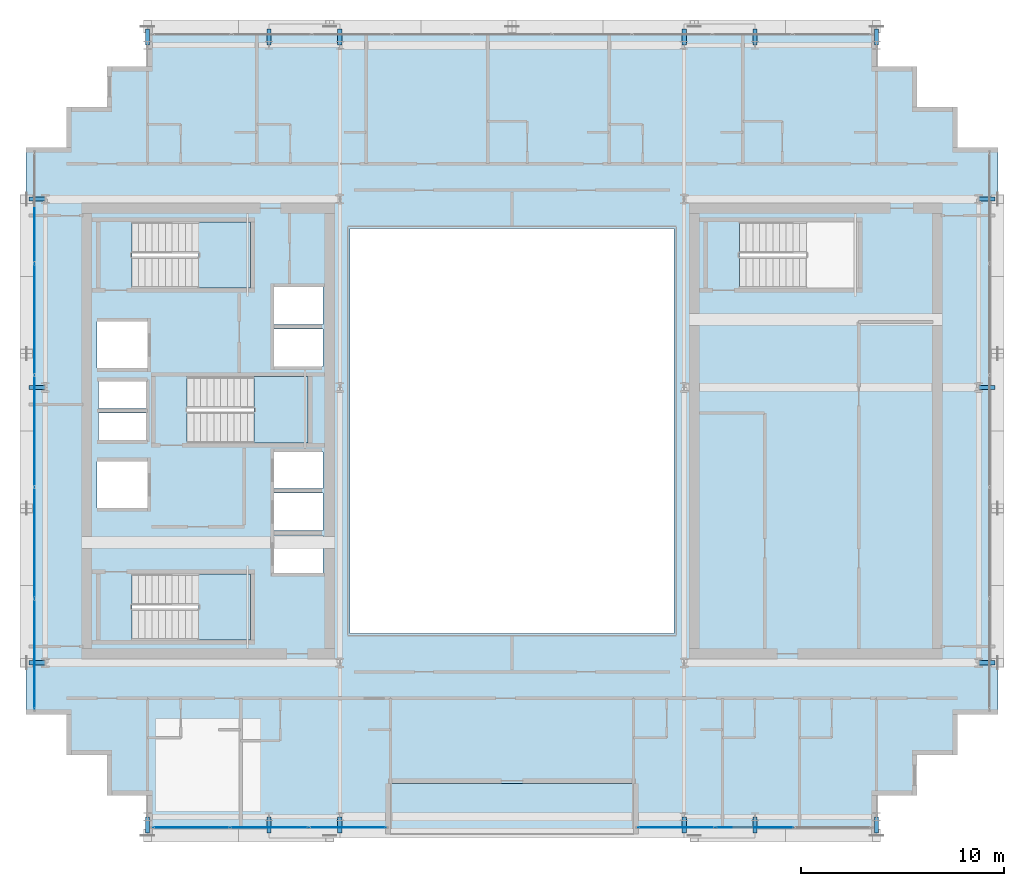
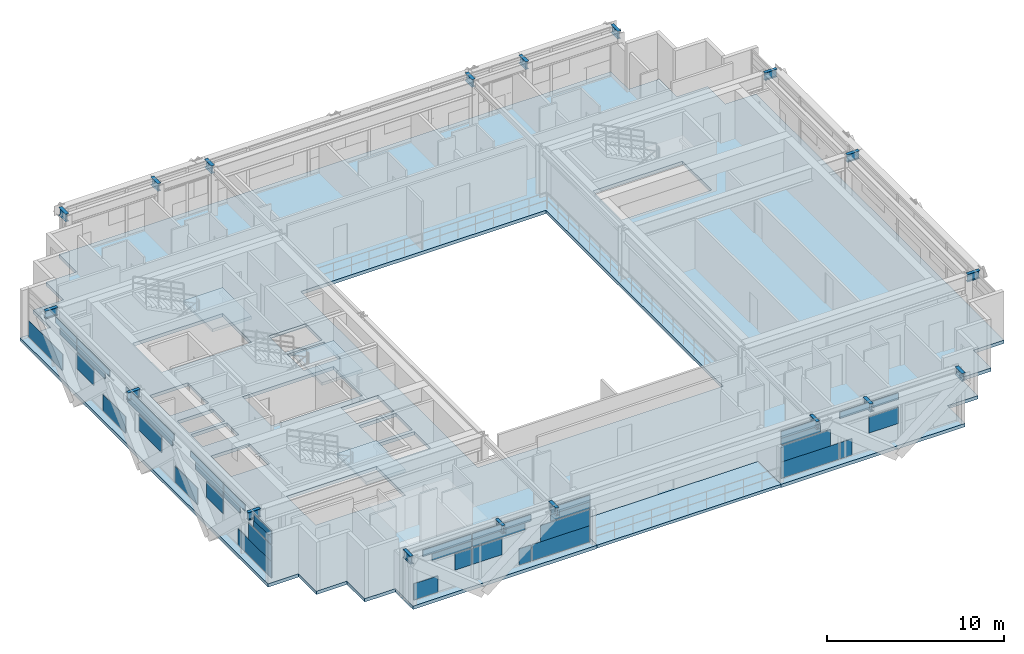
# One storey, part 20 of 32: 39 plates, 18 beams, 5 slabs, 6 elements without a shape of their own.
"""IFC4 building model written with IfcOpenShell, lengths in metres."""

from ifc_helpers import new_model, si_unit, direction, frame, origin, origin_2d, place, context, subcontext, project, spatial, polyline, rectangle, i_section, outline, extrude, source, transform, mapped, material, layer, layer_set, material_profile, profile_set, type_object, element, aggregate, save


model = new_model("IFC4")

# Units and contexts
model_context = context("Model", 3, precision=1e-05, world=origin(), true_north=direction((0.0, 1.0)))
body_context = subcontext(model_context, "Body", "Model", "MODEL_VIEW")
ifc_project = project(units=[si_unit("LENGTHUNIT", "METRE"), si_unit("AREAUNIT", "SQUARE_METRE"), si_unit("VOLUMEUNIT", "CUBIC_METRE"), si_unit("PLANEANGLEUNIT", "RADIAN"), si_unit("MASSUNIT", "GRAM", prefix="KILO")], contexts=[model_context])

# Site, building, storey
site_placement = place(None, origin())
site = spatial("IfcSite", under=ifc_project, at=site_placement, CompositionType="ELEMENT")
building_placement = place(site_placement, origin())
building = spatial("IfcBuilding", under=site, at=building_placement, Name="Ocotamira Hotel", CompositionType="ELEMENT")
storey_placement = place(building_placement, frame((0.0, 0.0, 206.39990234375)))
storey = spatial("IfcBuildingStorey", under=building, at=storey_placement, Name="L52", CompositionType="ELEMENT", Elevation=206.39990234375)

# Beams
ifc_material_1 = material(Name="Steel ASTM A992 Grade 50", Category="steel")
ifc_material_profile = material_profile(ifc_material_1, i_section(OverallWidth=0.2099609375, OverallDepth=0.537109375, WebThickness=0.010986328125, FlangeThickness=0.017333984375, FilletRadius=0.012939453125, at=origin_2d()), Name="W21X68")
ifc_profile_set = profile_set([ifc_material_profile], Name="Steel ASTM A992 Grade 50")
beam_type = type_object("IfcBeamType", Name="BM-SEC-W21X68", PredefinedType="JOIST", material=ifc_profile_set)
shared_shape_1 = source(origin(), body_context, "Body", "SweptSolid", [
    extrude(i_section(OverallWidth=0.2099609375, OverallDepth=0.537109375, WebThickness=0.010986328125, FlangeThickness=0.017333984375, FilletRadius=0.012939453125, at=origin_2d()), origin(), (0.0, 0.0, 1.0), 0.800048828125),
])
for number, where, z_axis, x_axis, name in (
    (1, (14.0, 6.949951171875, 3.1015625), (0.0, -1.0, 0.0), (1.0, 0.0, 0.0), "L52 South Edge Header X14"),
    (2, (14.0, 45.050048828125, 3.1015625), (0.0, 1.0, 0.0), (-1.0, 0.0, 0.0), "L52 North Edge Header X14"),
    (3, (20.0, 6.949951171875, 3.1015625), (0.0, -1.0, 0.0), (1.0, 0.0, 0.0), "L52 South Edge Header X20"),
    (4, (20.0, 45.050048828125, 3.1015625), (0.0, 1.0, 0.0), (-1.0, 0.0, 0.0), "L52 North Edge Header X20"),
    (5, (23.5, 6.949951171875, 3.1015625), (0.0, -1.0, 0.0), (1.0, 0.0, 0.0), "L52 South Edge Header X23.5"),
    (6, (23.5, 45.050048828125, 3.1015625), (0.0, 1.0, 0.0), (-1.0, 0.0, 0.0), "L52 North Edge Header X23.5"),
    (7, (40.5, 6.949951171875, 3.1015625), (0.0, -1.0, 0.0), (1.0, 0.0, 0.0), "L52 South Edge Header X40.5"),
    (8, (40.5, 45.050048828125, 3.1015625), (0.0, 1.0, 0.0), (-1.0, 0.0, 0.0), "L52 North Edge Header X40.5"),
    (9, (44.0, 6.949951171875, 3.1015625), (0.0, -1.0, 0.0), (1.0, 0.0, 0.0), "L52 South Edge Header X44"),
    (10, (44.0, 45.050048828125, 3.1015625), (0.0, 1.0, 0.0), (-1.0, 0.0, 0.0), "L52 North Edge Header X44"),
    (11, (50.0, 6.949951171875, 3.1015625), (0.0, -1.0, 0.0), (1.0, 0.0, 0.0), "L52 South Edge Header X50"),
    (12, (50.0, 45.050048828125, 3.1015625), (0.0, 1.0, 0.0), (-1.0, 0.0, 0.0), "L52 North Edge Header X50"),
    (13, (8.949951171875, 14.550048828125, 3.1015625), (-1.0, 0.0, 0.0), (0.0, -1.0, 0.0), "L52 West Edge Header Y14.55"),
    (14, (55.050048828125, 14.550048828125, 3.1015625), (1.0, 0.0, 0.0), (0.0, 1.0, 0.0), "L52 East Edge Header Y14.55"),
    (15, (8.949951171875, 28.14990234375, 3.1015625), (-1.0, 0.0, 0.0), (0.0, -1.0, 0.0), "L52 West Edge Header Y28.15"),
    (16, (55.050048828125, 28.14990234375, 3.1015625), (1.0, 0.0, 0.0), (0.0, 1.0, 0.0), "L52 East Edge Header Y28.15"),
    (17, (8.949951171875, 37.449951171875, 3.1015625), (-1.0, 0.0, 0.0), (0.0, -1.0, 0.0), "L52 West Edge Header Y37.45"),
    (18, (55.050048828125, 37.449951171875, 3.1015625), (1.0, 0.0, 0.0), (0.0, 1.0, 0.0), "L52 East Edge Header Y37.45"),
):
    element("IfcBeam", number, at=place(storey_placement, frame(where, z_axis=z_axis, x_axis=x_axis)), inside=storey, type_object=beam_type, Name=name, PredefinedType="JOIST", context=body_context, shape_type="MappedRepresentation", body=[
        mapped(shared_shape_1, transform((0.0, 0.0, 0.0), scale=1.0)),
    ])

# Slab
ifc_material_2 = material(Name="Concrete C40/50", Category="concrete")
ifc_layer_1 = layer(ifc_material_2, 0.199951171875)
ifc_layer_set_1 = layer_set([ifc_layer_1], Name="Concrete C40/50")
slab_type_1 = type_object("IfcSlabType", Name="SLB-BAL-200", PredefinedType="FLOOR", material=ifc_layer_set_1)
slab_1_placement = place(storey_placement, frame((0.0, 0.0, -0.199951171875)))
element("IfcSlab", 19, at=slab_1_placement, inside=storey, type_object=slab_type_1, Name="L52 Outdoor Sky Terrace Slab 1", PredefinedType="FLOOR", context=body_context, shape_type="SweptSolid", body=[
    extrude(outline(polyline([(26.0, 6.0), (38.0, 6.0), (38.0, 8.60009765625), (26.0, 8.60009765625), (26.0, 6.0)])), origin(), (0.0, 0.0, 1.0), 0.199951171875),
])

# Stair, slab
stair_type = type_object("IfcStairType", Name="ST-CORE-1560", PredefinedType="HALF_TURN_STAIR", material=ifc_material_2)
stair_1_placement = place(storey_placement, origin())
stair_1 = element("IfcStair", 20, at=stair_1_placement, inside=storey, type_object=stair_type, Name="L52 Exit Stair ST-1", PredefinedType="HALF_TURN_STAIR")
ifc_layer_2 = layer(ifc_material_2, 0.199951171875)
ifc_layer_set_2 = layer_set([ifc_layer_2], Name="Concrete C40/50")
slab_type_2 = type_object("IfcSlabType", Name="SLB-LAND-200", PredefinedType="LANDING", material=ifc_layer_set_2)
slab_2_placement = place(storey_placement, frame((0.0, 0.0, 1.60009765625)))
slab_2 = element("IfcSlab", 21, at=slab_2_placement, type_object=slab_type_2, Name="ST-1 landing 1", PredefinedType="LANDING", context=body_context, shape_type="SweptSolid", body=[
    extrude(outline(polyline([(16.530029296875, 15.669921875), (19.090087890625, 15.669921875), (19.090087890625, 18.949951171875), (16.530029296875, 18.949951171875), (16.530029296875, 15.669921875)])), origin(), (0.0, 0.0, 1.0), 0.199951171875),
])
aggregate(stair_1, [slab_2])

stair_2_placement = place(storey_placement, origin())
stair_2 = element("IfcStair", 22, at=stair_2_placement, inside=storey, type_object=stair_type, Name="L52 Exit Stair ST-2", PredefinedType="HALF_TURN_STAIR")
slab_3_placement = place(storey_placement, frame((0.0, 0.0, 1.60009765625)))
slab_3 = element("IfcSlab", 23, at=slab_3_placement, type_object=slab_type_2, Name="ST-2 landing 1", PredefinedType="LANDING", context=body_context, shape_type="SweptSolid", body=[
    extrude(outline(polyline([(16.530029296875, 33.050048828125), (19.090087890625, 33.050048828125), (19.090087890625, 36.330078125), (16.530029296875, 36.330078125), (16.530029296875, 33.050048828125)])), origin(), (0.0, 0.0, 1.0), 0.199951171875),
])
aggregate(stair_2, [slab_3])

stair_3_placement = place(storey_placement, origin())
stair_3 = element("IfcStair", 24, at=stair_3_placement, inside=storey, type_object=stair_type, Name="L52 Exit Stair ST-3", PredefinedType="HALF_TURN_STAIR")
slab_4_placement = place(storey_placement, frame((0.0, 0.0, 1.60009765625)))
slab_4 = element("IfcSlab", 25, at=slab_4_placement, type_object=slab_type_2, Name="ST-3 landing 1", PredefinedType="LANDING", context=body_context, shape_type="SweptSolid", body=[
    extrude(outline(polyline([(19.260009765625, 25.39990234375), (21.919921875, 25.39990234375), (21.919921875, 28.679931640625), (19.260009765625, 28.679931640625), (19.260009765625, 25.39990234375)])), origin(), (0.0, 0.0, 1.0), 0.199951171875),
])
aggregate(stair_3, [slab_4])

# Slab
ifc_layer_3 = layer(ifc_material_2, 0.22998046875)
ifc_layer_set_3 = layer_set([ifc_layer_3], Name="Concrete C40/50")
slab_type_3 = type_object("IfcSlabType", Name="SLB-Z3-230", PredefinedType="FLOOR", material=ifc_layer_set_3)
slab_5_placement = place(storey_placement, frame((0.0, 0.0, -0.22998046875)))
element("IfcSlab", 26, at=slab_5_placement, inside=storey, type_object=slab_type_3, Name="L52 Structural Floor Slab", PredefinedType="FLOOR", context=body_context, shape_type="SweptSolid", body=[
    extrude(outline(polyline([(14.0, 6.0), (14.0, 8.0), (12.0, 8.0), (12.0, 10.0), (10.0, 10.0), (10.0, 12.0), (8.0, 12.0), (8.0, 40.0), (10.0, 40.0), (10.0, 42.0), (12.0, 42.0), (12.0, 44.0), (14.0, 44.0), (14.0, 46.0), (50.0, 46.0), (50.0, 44.0), (52.0, 44.0), (52.0, 42.0), (54.0, 42.0), (54.0, 40.0), (56.0, 40.0), (56.0, 12.0), (54.0, 12.0), (54.0, 10.0), (52.0, 10.0), (52.0, 8.0), (50.0, 8.0), (50.0, 6.0), (38.0, 6.0), (38.0, 8.60009765625), (26.0, 8.60009765625), (26.0, 6.0), (14.0, 6.0)]), holes=[polyline([(24.0, 16.0), (40.0, 16.0), (40.0, 36.0), (24.0, 36.0), (24.0, 16.0)]), polyline([(13.22998046875, 15.669921875), (19.090087890625, 15.669921875), (19.090087890625, 18.949951171875), (13.22998046875, 18.949951171875), (13.22998046875, 15.669921875)]), polyline([(13.22998046875, 33.050048828125), (19.090087890625, 33.050048828125), (19.090087890625, 36.330078125), (13.22998046875, 36.330078125), (13.22998046875, 33.050048828125)]), polyline([(15.9599609375, 25.39990234375), (21.919921875, 25.39990234375), (21.919921875, 28.679931640625), (15.9599609375, 28.679931640625), (15.9599609375, 25.39990234375)]), polyline([(43.22998046875, 33.050048828125), (49.090087890625, 33.050048828125), (49.090087890625, 36.330078125), (43.22998046875, 36.330078125), (43.22998046875, 33.050048828125)]), polyline([(20.25, 19.0), (22.659912109375, 19.0), (22.659912109375, 20.85009765625), (20.25, 20.85009765625), (20.25, 19.0)]), polyline([(20.25, 21.080078125), (22.659912109375, 21.080078125), (22.659912109375, 22.929931640625), (20.25, 22.929931640625), (20.25, 21.080078125)]), polyline([(20.25, 23.159912109375), (22.659912109375, 23.159912109375), (22.659912109375, 24.9599609375), (20.25, 24.9599609375), (20.25, 23.159912109375)]), polyline([(20.25, 29.179931640625), (22.659912109375, 29.179931640625), (22.659912109375, 31.030029296875), (20.25, 31.030029296875), (20.25, 29.179931640625)]), polyline([(20.25, 31.260009765625), (22.659912109375, 31.260009765625), (22.659912109375, 33.110107421875), (20.25, 33.110107421875), (20.25, 31.260009765625)]), polyline([(11.5, 22.199951171875), (14.0, 22.199951171875), (14.0, 24.5), (11.5, 24.5), (11.5, 22.199951171875)]), polyline([(11.5, 29.10009765625), (14.0, 29.10009765625), (14.0, 31.39990234375), (11.5, 31.39990234375), (11.5, 29.10009765625)]), polyline([(11.580078125, 25.550048828125), (13.919921875, 25.550048828125), (13.919921875, 26.89990234375), (11.580078125, 26.89990234375), (11.580078125, 25.550048828125)]), polyline([(11.580078125, 27.10009765625), (13.919921875, 27.10009765625), (13.919921875, 28.449951171875), (11.580078125, 28.449951171875), (11.580078125, 27.10009765625)])]), origin(), (0.0, 0.0, 1.0), 0.22998046875),
])

# Curtain wall, plate
ifc_material_3 = material(Name="Anodised pale-metal aluminium and solar glass", Category="aluminium")
ifc_layer_4 = layer(ifc_material_3, 0.199951171875)
ifc_layer_set_4 = layer_set([ifc_layer_4], Name="Anodised pale-metal aluminium and solar glass")
curtain_wall_type = type_object("IfcCurtainWallType", Name="CW-SYS4-Z3", PredefinedType="NOTDEFINED", material=ifc_layer_set_4)
curtain_wall_1_placement = place(storey_placement, origin())
curtain_wall_1 = element("IfcCurtainWall", 27, at=curtain_wall_1_placement, inside=storey, type_object=curtain_wall_type, Name="L52 Curtain Wall CW-4 CW-L52-S1", PredefinedType="NOTDEFINED")
ifc_material_4 = material(Name="Double-silver low-E insulated solar glass", Category="glass")
ifc_layer_5 = layer(ifc_material_4, 0.031982421875)
ifc_layer_set_5 = layer_set([ifc_layer_5], Name="Double-silver low-E insulated solar glass")
plate_type = type_object("IfcPlateType", Name="CWP-VISION-32", PredefinedType="CURTAIN_PANEL", material=ifc_layer_set_5)
shared_shape_2 = source(origin(), body_context, "Body", "SweptSolid", [
    extrude(rectangle(XDim=1.5673828125, YDim=0.031982421875, at=origin_2d()), origin(), (0.0, 0.0, 1.0), 1.118896484375),
])
plate_1_placement = place(storey_placement, frame((15.063720703125, 6.419921875, 0.0751953125), z_axis=(0.0, 0.0, 1.0), x_axis=(1.0, 0.0, 0.0)))
plate_1 = element("IfcPlate", 28, at=plate_1_placement, type_object=plate_type, Name="CW-4 panel 1.1.1", PredefinedType="CURTAIN_PANEL", context=body_context, shape_type="MappedRepresentation", body=[
    mapped(shared_shape_2, transform((0.0, 0.0, 0.0), scale=1.0)),
])

# Curtain wall, plates
curtain_wall_2_placement = place(storey_placement, origin())
curtain_wall_2 = element("IfcCurtainWall", 29, at=curtain_wall_2_placement, inside=storey, type_object=curtain_wall_type, Name="L52 Curtain Wall CW-4 CW-L52-W", PredefinedType="NOTDEFINED")
shared_shape_3 = source(origin(), body_context, "Body", "SweptSolid", [
    extrude(rectangle(XDim=3.802001953125, YDim=0.031982421875, at=origin_2d()), origin(), (0.0, 0.0, 1.0), 1.118896484375),
])
plate_2_placement = place(storey_placement, frame((8.419921875, 14.180908203125, 0.0751953125), z_axis=(0.0, 0.0, 1.0), x_axis=(0.0, 1.0, 0.0)))
plate_2 = element("IfcPlate", 30, at=plate_2_placement, type_object=plate_type, Name="CW-4 panel 1.1.1", PredefinedType="CURTAIN_PANEL", context=body_context, shape_type="MappedRepresentation", body=[
    mapped(shared_shape_3, transform((0.0, 0.0, 0.0), scale=1.0)),
])
plate_3_placement = place(storey_placement, frame((8.419921875, 37.819091796875, 0.0751953125), z_axis=(0.0, 0.0, 1.0), x_axis=(0.0, 1.0, 0.0)))
plate_3 = element("IfcPlate", 31, at=plate_3_placement, type_object=plate_type, Name="CW-4 panel 5.1.1", PredefinedType="CURTAIN_PANEL", context=body_context, shape_type="MappedRepresentation", body=[
    mapped(shared_shape_3, transform((0.0, 0.0, 0.0), scale=1.0)),
])
shared_shape_4 = source(origin(), body_context, "Body", "SweptSolid", [
    extrude(rectangle(XDim=2.048095703125, YDim=0.031982421875, at=origin_2d()), origin(), (0.0, 0.0, 1.0), 0.460693359375),
])
plate_4_placement = place(storey_placement, frame((8.419921875, 13.303955078125, 2.3876953125), z_axis=(0.0, 0.0, 1.0), x_axis=(0.0, 1.0, 0.0)))
plate_4 = element("IfcPlate", 32, at=plate_4_placement, type_object=plate_type, Name="CW-4 panel 1.2.1", PredefinedType="CURTAIN_PANEL", context=body_context, shape_type="MappedRepresentation", body=[
    mapped(shared_shape_4, transform((0.0, 0.0, 0.0), scale=1.0)),
])
shared_shape_5 = source(origin(), body_context, "Body", "SweptSolid", [
    extrude(rectangle(XDim=2.01171875, YDim=0.031982421875, at=origin_2d()), origin(), (0.0, 0.0, 1.0), 0.44677734375),
])
plate_5_placement = place(storey_placement, frame((8.419921875, 13.285888671875, 2.848388671875), z_axis=(0.0, 0.0, 1.0), x_axis=(0.0, 1.0, 0.0)))
plate_5 = element("IfcPlate", 33, at=plate_5_placement, type_object=plate_type, Name="CW-4 panel 1.2.2", PredefinedType="CURTAIN_PANEL", context=body_context, shape_type="MappedRepresentation", body=[
    mapped(shared_shape_5, transform((0.0, 0.0, 0.0), scale=1.0)),
])
shared_shape_6 = source(origin(), body_context, "Body", "SweptSolid", [
    extrude(rectangle(XDim=2.3681640625, YDim=0.031982421875, at=origin_2d()), origin(), (0.0, 0.0, 1.0), 0.41259765625),
])
plate_6_placement = place(storey_placement, frame((8.419921875, 16.495849609375, 2.882568359375), z_axis=(0.0, 0.0, 1.0), x_axis=(0.0, 1.0, 0.0)))
plate_6 = element("IfcPlate", 34, at=plate_6_placement, type_object=plate_type, Name="CW-4 panel 1.2.3", PredefinedType="CURTAIN_PANEL", context=body_context, shape_type="MappedRepresentation", body=[
    mapped(shared_shape_6, transform((0.0, 0.0, 0.0), scale=1.0)),
])
plate_7_placement = place(storey_placement, frame((8.419921875, 35.504150390625, 2.882568359375), z_axis=(0.0, 0.0, 1.0), x_axis=(0.0, 1.0, 0.0)))
plate_7 = element("IfcPlate", 35, at=plate_7_placement, type_object=plate_type, Name="CW-4 panel 5.2.2", PredefinedType="CURTAIN_PANEL", context=body_context, shape_type="MappedRepresentation", body=[
    mapped(shared_shape_6, transform((0.0, 0.0, 0.0), scale=1.0)),
])
shared_shape_7 = source(origin(), body_context, "Body", "SweptSolid", [
    extrude(rectangle(XDim=1.84326171875, YDim=0.031982421875, at=origin_2d()), origin(), (0.0, 0.0, 1.0), 0.460693359375),
])
plate_8_placement = place(storey_placement, frame((8.419921875, 16.75830078125, 2.3876953125), z_axis=(0.0, 0.0, 1.0), x_axis=(0.0, 1.0, 0.0)))
plate_8 = element("IfcPlate", 36, at=plate_8_placement, type_object=plate_type, Name="CW-4 panel 1.2.4", PredefinedType="CURTAIN_PANEL", context=body_context, shape_type="MappedRepresentation", body=[
    mapped(shared_shape_7, transform((0.0, 0.0, 0.0), scale=1.0)),
])
plate_9_placement = place(storey_placement, frame((8.419921875, 35.24169921875, 2.3876953125), z_axis=(0.0, 0.0, 1.0), x_axis=(0.0, 1.0, 0.0)))
plate_9 = element("IfcPlate", 37, at=plate_9_placement, type_object=plate_type, Name="CW-4 panel 5.2.1", PredefinedType="CURTAIN_PANEL", context=body_context, shape_type="MappedRepresentation", body=[
    mapped(shared_shape_7, transform((0.0, 0.0, 0.0), scale=1.0)),
])
shared_shape_8 = source(origin(), body_context, "Body", "SweptSolid", [
    extrude(rectangle(XDim=2.548828125, YDim=0.031982421875, at=origin_2d()), origin(), (0.0, 0.0, 1.0), 1.118896484375),
])
plate_10_placement = place(storey_placement, frame((8.419921875, 21.925537109375, 0.0751953125), z_axis=(0.0, 0.0, 1.0), x_axis=(0.0, 1.0, 0.0)))
plate_10 = element("IfcPlate", 38, at=plate_10_placement, type_object=plate_type, Name="CW-4 panel 2.1.2", PredefinedType="CURTAIN_PANEL", context=body_context, shape_type="MappedRepresentation", body=[
    mapped(shared_shape_8, transform((0.0, 0.0, 0.0), scale=1.0)),
])
plate_11_placement = place(storey_placement, frame((8.419921875, 30.074462890625, 0.0751953125), z_axis=(0.0, 0.0, 1.0), x_axis=(0.0, 1.0, 0.0)))
plate_11 = element("IfcPlate", 39, at=plate_11_placement, type_object=plate_type, Name="CW-4 panel 4.1.1", PredefinedType="CURTAIN_PANEL", context=body_context, shape_type="MappedRepresentation", body=[
    mapped(shared_shape_8, transform((0.0, 0.0, 0.0), scale=1.0)),
])
shared_shape_9 = source(origin(), body_context, "Body", "SweptSolid", [
    extrude(rectangle(XDim=3.13671875, YDim=0.031982421875, at=origin_2d()), origin(), (0.0, 0.0, 1.0), 0.460693359375),
])
plate_12_placement = place(storey_placement, frame((8.419921875, 19.328369140625, 2.3876953125), z_axis=(0.0, 0.0, 1.0), x_axis=(0.0, 1.0, 0.0)))
plate_12 = element("IfcPlate", 40, at=plate_12_placement, type_object=plate_type, Name="CW-4 panel 2.2.1", PredefinedType="CURTAIN_PANEL", context=body_context, shape_type="MappedRepresentation", body=[
    mapped(shared_shape_9, transform((0.0, 0.0, 0.0), scale=1.0)),
])
plate_13_placement = place(storey_placement, frame((8.419921875, 32.671630859375, 2.3876953125), z_axis=(0.0, 0.0, 1.0), x_axis=(0.0, 1.0, 0.0)))
plate_13 = element("IfcPlate", 41, at=plate_13_placement, type_object=plate_type, Name="CW-4 panel 4.2.2", PredefinedType="CURTAIN_PANEL", context=body_context, shape_type="MappedRepresentation", body=[
    mapped(shared_shape_9, transform((0.0, 0.0, 0.0), scale=1.0)),
])
shared_shape_10 = source(origin(), body_context, "Body", "SweptSolid", [
    extrude(rectangle(XDim=3.66162109375, YDim=0.031982421875, at=origin_2d()), origin(), (0.0, 0.0, 1.0), 0.41259765625),
])
plate_14_placement = place(storey_placement, frame((8.419921875, 19.5908203125, 2.882568359375), z_axis=(0.0, 0.0, 1.0), x_axis=(0.0, 1.0, 0.0)))
plate_14 = element("IfcPlate", 42, at=plate_14_placement, type_object=plate_type, Name="CW-4 panel 2.2.2", PredefinedType="CURTAIN_PANEL", context=body_context, shape_type="MappedRepresentation", body=[
    mapped(shared_shape_10, transform((0.0, 0.0, 0.0), scale=1.0)),
])
plate_15_placement = place(storey_placement, frame((8.419921875, 32.4091796875, 2.882568359375), z_axis=(0.0, 0.0, 1.0), x_axis=(0.0, 1.0, 0.0)))
plate_15 = element("IfcPlate", 43, at=plate_15_placement, type_object=plate_type, Name="CW-4 panel 4.2.1", PredefinedType="CURTAIN_PANEL", context=body_context, shape_type="MappedRepresentation", body=[
    mapped(shared_shape_10, transform((0.0, 0.0, 0.0), scale=1.0)),
])
shared_shape_11 = source(origin(), body_context, "Body", "SweptSolid", [
    extrude(rectangle(XDim=5.43994140625, YDim=0.031982421875, at=origin_2d()), origin(), (0.0, 0.0, 1.0), 0.41259765625),
])
plate_16_placement = place(storey_placement, frame((8.419921875, 26.0, 2.882568359375), z_axis=(0.0, 0.0, 1.0), x_axis=(0.0, 1.0, 0.0)))
plate_16 = element("IfcPlate", 44, at=plate_16_placement, type_object=plate_type, Name="CW-4 panel 3.2.1", PredefinedType="CURTAIN_PANEL", context=body_context, shape_type="MappedRepresentation", body=[
    mapped(shared_shape_11, transform((0.0, 0.0, 0.0), scale=1.0)),
])
shared_shape_12 = source(origin(), body_context, "Body", "SweptSolid", [
    extrude(rectangle(XDim=5.06005859375, YDim=0.031982421875, at=origin_2d()), origin(), (0.0, 0.0, 1.0), 0.4951171875),
])
plate_17_placement = place(storey_placement, frame((8.419921875, 26.0, 2.387451171875), z_axis=(0.0, 0.0, 1.0), x_axis=(0.0, 1.0, 0.0)))
plate_17 = element("IfcPlate", 45, at=plate_17_placement, type_object=plate_type, Name="CW-4 panel 3.2.2", PredefinedType="CURTAIN_PANEL", context=body_context, shape_type="MappedRepresentation", body=[
    mapped(shared_shape_12, transform((0.0, 0.0, 0.0), scale=1.0)),
])

# Plate
shared_shape_13 = source(origin(), body_context, "Body", "SweptSolid", [
    extrude(rectangle(XDim=3.76318359375, YDim=0.031982421875, at=origin_2d()), origin(), (0.0, 0.0, 1.0), 1.118896484375),
])
plate_18_placement = place(storey_placement, frame((23.88818359375, 6.419921875, 0.0751953125), z_axis=(0.0, 0.0, 1.0), x_axis=(1.0, 0.0, 0.0)))
plate_18 = element("IfcPlate", 46, at=plate_18_placement, type_object=plate_type, Name="CW-4 panel 3.1.1", PredefinedType="CURTAIN_PANEL", context=body_context, shape_type="MappedRepresentation", body=[
    mapped(shared_shape_13, transform((0.0, 0.0, 0.0), scale=1.0)),
])

# Curtain wall, plate
curtain_wall_3_placement = place(storey_placement, origin())
curtain_wall_3 = element("IfcCurtainWall", 47, at=curtain_wall_3_placement, inside=storey, type_object=curtain_wall_type, Name="L52 Curtain Wall CW-4 CW-L52-S2", PredefinedType="NOTDEFINED")
plate_19_placement = place(storey_placement, frame((40.11181640625, 6.419921875, 0.0751953125), z_axis=(0.0, 0.0, 1.0), x_axis=(1.0, 0.0, 0.0)))
plate_19 = element("IfcPlate", 48, at=plate_19_placement, type_object=plate_type, Name="CW-4 panel 1.1.1", PredefinedType="CURTAIN_PANEL", context=body_context, shape_type="MappedRepresentation", body=[
    mapped(shared_shape_13, transform((0.0, 0.0, 0.0), scale=1.0)),
])

# Plate
shared_shape_14 = source(origin(), body_context, "Body", "SweptSolid", [
    extrude(rectangle(XDim=1.0751953125, YDim=0.031982421875, at=origin_2d()), origin(), (0.0, 0.0, 1.0), 1.118896484375),
])
plate_20_placement = place(storey_placement, frame((17.505615234375, 6.419921875, 1.19384765625), z_axis=(0.0, 0.0, 1.0), x_axis=(1.0, 0.0, 0.0)))
plate_20 = element("IfcPlate", 49, at=plate_20_placement, type_object=plate_type, Name="CW-4 panel 1.1.2", PredefinedType="CURTAIN_PANEL", context=body_context, shape_type="MappedRepresentation", body=[
    mapped(shared_shape_14, transform((0.0, 0.0, 0.0), scale=1.0)),
])

shared_shape_15 = source(origin(), body_context, "Body", "SweptSolid", [
    extrude(rectangle(XDim=3.160888671875, YDim=0.031982421875, at=origin_2d()), origin(), (0.0, 0.0, 1.0), 0.4326171875),
])
plate_21_placement = place(storey_placement, frame((16.462890625, 6.419921875, 2.862548828125), z_axis=(0.0, 0.0, 1.0), x_axis=(1.0, 0.0, 0.0)))
plate_21 = element("IfcPlate", 50, at=plate_21_placement, type_object=plate_type, Name="CW-4 panel 1.2.1", PredefinedType="CURTAIN_PANEL", context=body_context, shape_type="MappedRepresentation", body=[
    mapped(shared_shape_15, transform((0.0, 0.0, 0.0), scale=1.0)),
])

shared_shape_16 = source(origin(), body_context, "Body", "SweptSolid", [
    extrude(rectangle(XDim=2.5673828125, YDim=0.031982421875, at=origin_2d()), origin(), (0.0, 0.0, 1.0), 0.443603515625),
])
plate_22_placement = place(storey_placement, frame((16.759521484375, 6.419921875, 2.3876953125), z_axis=(0.0, 0.0, 1.0), x_axis=(1.0, 0.0, 0.0)))
plate_22 = element("IfcPlate", 51, at=plate_22_placement, type_object=plate_type, Name="CW-4 panel 1.2.2", PredefinedType="CURTAIN_PANEL", context=body_context, shape_type="MappedRepresentation", body=[
    mapped(shared_shape_16, transform((0.0, 0.0, 0.0), scale=1.0)),
])

shared_shape_17 = source(origin(), body_context, "Body", "SweptSolid", [
    extrude(rectangle(XDim=1.90869140625, YDim=0.031982421875, at=origin_2d()), origin(), (0.0, 0.0, 1.0), 1.118896484375),
])
plate_23_placement = place(storey_placement, frame((19.07763671875, 6.419921875, 1.19384765625), z_axis=(0.0, 0.0, 1.0), x_axis=(1.0, 0.0, 0.0)))
plate_23 = element("IfcPlate", 52, at=plate_23_placement, type_object=plate_type, Name="CW-4 panel 2.1.1", PredefinedType="CURTAIN_PANEL", context=body_context, shape_type="MappedRepresentation", body=[
    mapped(shared_shape_17, transform((0.0, 0.0, 0.0), scale=1.0)),
])

plate_24_placement = place(storey_placement, frame((44.92236328125, 6.419921875, 1.19384765625), z_axis=(0.0, 0.0, 1.0), x_axis=(1.0, 0.0, 0.0)))
plate_24 = element("IfcPlate", 53, at=plate_24_placement, type_object=plate_type, Name="CW-4 panel 2.1.2", PredefinedType="CURTAIN_PANEL", context=body_context, shape_type="MappedRepresentation", body=[
    mapped(shared_shape_17, transform((0.0, 0.0, 0.0), scale=1.0)),
])

shared_shape_18 = source(origin(), body_context, "Body", "SweptSolid", [
    extrude(rectangle(XDim=0.774169921875, YDim=0.031982421875, at=origin_2d()), origin(), (0.0, 0.0, 1.0), 1.118896484375),
])
plate_25_placement = place(storey_placement, frame((21.53955078125, 6.419921875, 0.0751953125), z_axis=(0.0, 0.0, 1.0), x_axis=(1.0, 0.0, 0.0)))
plate_25 = element("IfcPlate", 54, at=plate_25_placement, type_object=plate_type, Name="CW-4 panel 2.1.2", PredefinedType="CURTAIN_PANEL", context=body_context, shape_type="MappedRepresentation", body=[
    mapped(shared_shape_18, transform((0.0, 0.0, 0.0), scale=1.0)),
])

plate_26_placement = place(storey_placement, frame((42.46044921875, 6.419921875, 0.0751953125), z_axis=(0.0, 0.0, 1.0), x_axis=(1.0, 0.0, 0.0)))
plate_26 = element("IfcPlate", 55, at=plate_26_placement, type_object=plate_type, Name="CW-4 panel 2.1.1", PredefinedType="CURTAIN_PANEL", context=body_context, shape_type="MappedRepresentation", body=[
    mapped(shared_shape_18, transform((0.0, 0.0, 0.0), scale=1.0)),
])

shared_shape_19 = source(origin(), body_context, "Body", "SweptSolid", [
    extrude(rectangle(XDim=3.40087890625, YDim=0.031982421875, at=origin_2d()), origin(), (0.0, 0.0, 1.0), 0.474853515625),
])
plate_27_placement = place(storey_placement, frame((19.82373046875, 6.419921875, 2.3876953125), z_axis=(0.0, 0.0, 1.0), x_axis=(1.0, 0.0, 0.0)))
plate_27 = element("IfcPlate", 56, at=plate_27_placement, type_object=plate_type, Name="CW-4 panel 2.2.1", PredefinedType="CURTAIN_PANEL", context=body_context, shape_type="MappedRepresentation", body=[
    mapped(shared_shape_19, transform((0.0, 0.0, 0.0), scale=1.0)),
])

shared_shape_20 = source(origin(), body_context, "Body", "SweptSolid", [
    extrude(rectangle(XDim=3.80322265625, YDim=0.031982421875, at=origin_2d()), origin(), (0.0, 0.0, 1.0), 0.4326171875),
])
plate_28_placement = place(storey_placement, frame((20.02490234375, 6.419921875, 2.862548828125), z_axis=(0.0, 0.0, 1.0), x_axis=(1.0, 0.0, 0.0)))
plate_28 = element("IfcPlate", 57, at=plate_28_placement, type_object=plate_type, Name="CW-4 panel 2.2.2", PredefinedType="CURTAIN_PANEL", context=body_context, shape_type="MappedRepresentation", body=[
    mapped(shared_shape_20, transform((0.0, 0.0, 0.0), scale=1.0)),
])

plate_29_placement = place(storey_placement, frame((43.97509765625, 6.419921875, 2.862548828125), z_axis=(0.0, 0.0, 1.0), x_axis=(1.0, 0.0, 0.0)))
plate_29 = element("IfcPlate", 58, at=plate_29_placement, type_object=plate_type, Name="CW-4 panel 2.2.1", PredefinedType="CURTAIN_PANEL", context=body_context, shape_type="MappedRepresentation", body=[
    mapped(shared_shape_20, transform((0.0, 0.0, 0.0), scale=1.0)),
])

shared_shape_21 = source(origin(), body_context, "Body", "SweptSolid", [
    extrude(rectangle(XDim=3.218994140625, YDim=0.031982421875, at=origin_2d()), origin(), (0.0, 0.0, 1.0), 1.118896484375),
])
plate_30_placement = place(storey_placement, frame((24.160400390625, 6.419921875, 1.19384765625), z_axis=(0.0, 0.0, 1.0), x_axis=(1.0, 0.0, 0.0)))
plate_30 = element("IfcPlate", 59, at=plate_30_placement, type_object=plate_type, Name="CW-4 panel 3.1.2", PredefinedType="CURTAIN_PANEL", context=body_context, shape_type="MappedRepresentation", body=[
    mapped(shared_shape_21, transform((0.0, 0.0, 0.0), scale=1.0)),
])

plate_31_placement = place(storey_placement, frame((39.839599609375, 6.419921875, 1.19384765625), z_axis=(0.0, 0.0, 1.0), x_axis=(1.0, 0.0, 0.0)))
plate_31 = element("IfcPlate", 60, at=plate_31_placement, type_object=plate_type, Name="CW-4 panel 1.1.2", PredefinedType="CURTAIN_PANEL", context=body_context, shape_type="MappedRepresentation", body=[
    mapped(shared_shape_21, transform((0.0, 0.0, 0.0), scale=1.0)),
])

shared_shape_22 = source(origin(), body_context, "Body", "SweptSolid", [
    extrude(rectangle(XDim=2.57080078125, YDim=0.031982421875, at=origin_2d()), origin(), (0.0, 0.0, 1.0), 0.443603515625),
])
plate_32_placement = place(storey_placement, frame((24.484619140625, 6.419921875, 2.3876953125), z_axis=(0.0, 0.0, 1.0), x_axis=(1.0, 0.0, 0.0)))
plate_32 = element("IfcPlate", 61, at=plate_32_placement, type_object=plate_type, Name="CW-4 panel 3.2.1", PredefinedType="CURTAIN_PANEL", context=body_context, shape_type="MappedRepresentation", body=[
    mapped(shared_shape_22, transform((0.0, 0.0, 0.0), scale=1.0)),
])

plate_33_placement = place(storey_placement, frame((39.515380859375, 6.419921875, 2.3876953125), z_axis=(0.0, 0.0, 1.0), x_axis=(1.0, 0.0, 0.0)))
plate_33 = element("IfcPlate", 62, at=plate_33_placement, type_object=plate_type, Name="CW-4 panel 1.2.1", PredefinedType="CURTAIN_PANEL", context=body_context, shape_type="MappedRepresentation", body=[
    mapped(shared_shape_22, transform((0.0, 0.0, 0.0), scale=1.0)),
])

shared_shape_23 = source(origin(), body_context, "Body", "SweptSolid", [
    extrude(rectangle(XDim=2.53173828125, YDim=0.031982421875, at=origin_2d()), origin(), (0.0, 0.0, 1.0), 0.4638671875),
])
plate_34_placement = place(storey_placement, frame((24.504150390625, 6.419921875, 2.8310546875), z_axis=(0.0, 0.0, 1.0), x_axis=(1.0, 0.0, 0.0)))
plate_34 = element("IfcPlate", 63, at=plate_34_placement, type_object=plate_type, Name="CW-4 panel 3.2.2", PredefinedType="CURTAIN_PANEL", context=body_context, shape_type="MappedRepresentation", body=[
    mapped(shared_shape_23, transform((0.0, 0.0, 0.0), scale=1.0)),
])

aggregate(curtain_wall_1, [plate_1, plate_20, plate_21, plate_22, plate_23, plate_25, plate_27, plate_28, plate_18, plate_30, plate_32, plate_34])

plate_35_placement = place(storey_placement, frame((39.495849609375, 6.419921875, 2.8310546875), z_axis=(0.0, 0.0, 1.0), x_axis=(1.0, 0.0, 0.0)))
plate_35 = element("IfcPlate", 64, at=plate_35_placement, type_object=plate_type, Name="CW-4 panel 1.2.2", PredefinedType="CURTAIN_PANEL", context=body_context, shape_type="MappedRepresentation", body=[
    mapped(shared_shape_23, transform((0.0, 0.0, 0.0), scale=1.0)),
])

aggregate(curtain_wall_3, [plate_19, plate_31, plate_33, plate_35, plate_26, plate_24, plate_29])

shared_shape_24 = source(origin(), body_context, "Body", "SweptSolid", [
    extrude(rectangle(XDim=2.615966796875, YDim=0.031982421875, at=origin_2d()), origin(), (0.0, 0.0, 1.0), 1.118896484375),
])
plate_36_placement = place(storey_placement, frame((8.419921875, 13.587890625, 1.19384765625), z_axis=(0.0, 0.0, 1.0), x_axis=(0.0, 1.0, 0.0)))
plate_36 = element("IfcPlate", 65, at=plate_36_placement, type_object=plate_type, Name="CW-4 panel 1.1.2", PredefinedType="CURTAIN_PANEL", context=body_context, shape_type="MappedRepresentation", body=[
    mapped(shared_shape_24, transform((0.0, 0.0, 0.0), scale=1.0)),
])

shared_shape_25 = source(origin(), body_context, "Body", "SweptSolid", [
    extrude(rectangle(XDim=1.87109375, YDim=0.031982421875, at=origin_2d()), origin(), (0.0, 0.0, 1.0), 1.118896484375),
])
plate_37_placement = place(storey_placement, frame((8.419921875, 18.695556640625, 1.19384765625), z_axis=(0.0, 0.0, 1.0), x_axis=(0.0, 1.0, 0.0)))
plate_37 = element("IfcPlate", 66, at=plate_37_placement, type_object=plate_type, Name="CW-4 panel 2.1.1", PredefinedType="CURTAIN_PANEL", context=body_context, shape_type="MappedRepresentation", body=[
    mapped(shared_shape_25, transform((0.0, 0.0, 0.0), scale=1.0)),
])

plate_38_placement = place(storey_placement, frame((8.419921875, 33.304443359375, 1.19384765625), z_axis=(0.0, 0.0, 1.0), x_axis=(0.0, 1.0, 0.0)))
plate_38 = element("IfcPlate", 67, at=plate_38_placement, type_object=plate_type, Name="CW-4 panel 4.1.2", PredefinedType="CURTAIN_PANEL", context=body_context, shape_type="MappedRepresentation", body=[
    mapped(shared_shape_25, transform((0.0, 0.0, 0.0), scale=1.0)),
])

shared_shape_26 = source(origin(), body_context, "Body", "SweptSolid", [
    extrude(rectangle(XDim=2.52880859375, YDim=0.031982421875, at=origin_2d()), origin(), (0.0, 0.0, 1.0), 1.118896484375),
])
plate_39_placement = place(storey_placement, frame((8.419921875, 26.0, 1.19384765625), z_axis=(0.0, 0.0, 1.0), x_axis=(0.0, 1.0, 0.0)))
plate_39 = element("IfcPlate", 68, at=plate_39_placement, type_object=plate_type, Name="CW-4 panel 3.1.1", PredefinedType="CURTAIN_PANEL", context=body_context, shape_type="MappedRepresentation", body=[
    mapped(shared_shape_26, transform((0.0, 0.0, 0.0), scale=1.0)),
])

aggregate(curtain_wall_2, [plate_2, plate_36, plate_4, plate_5, plate_6, plate_8, plate_37, plate_10, plate_12, plate_14, plate_39, plate_16, plate_17, plate_11, plate_38, plate_15, plate_13, plate_3, plate_9, plate_7])

save(model, "model.ifc")
